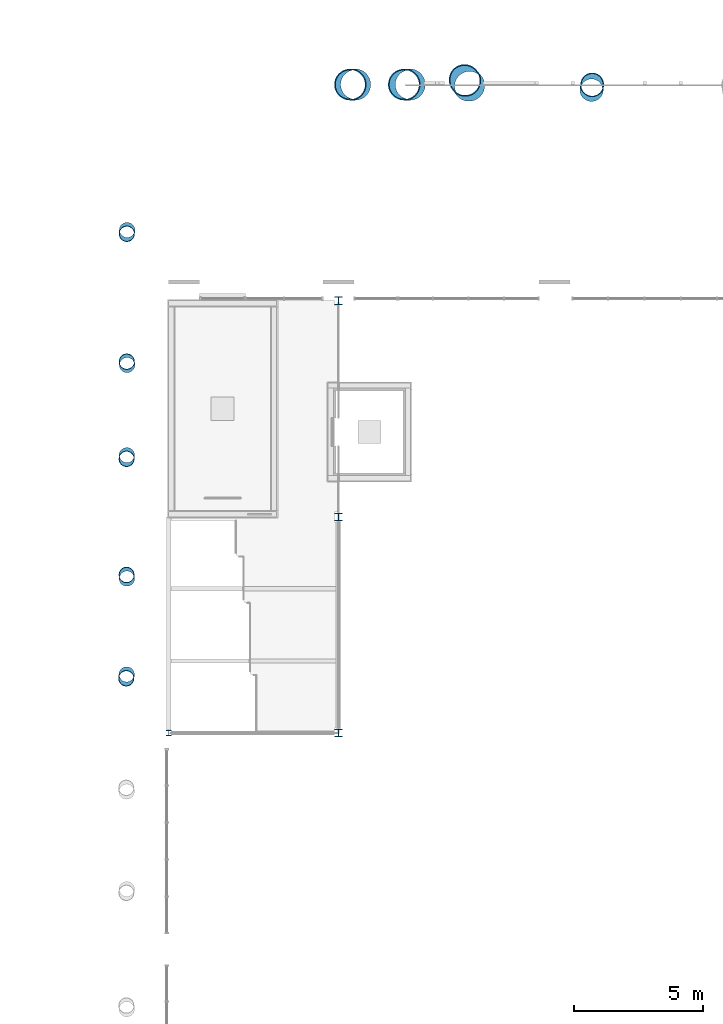
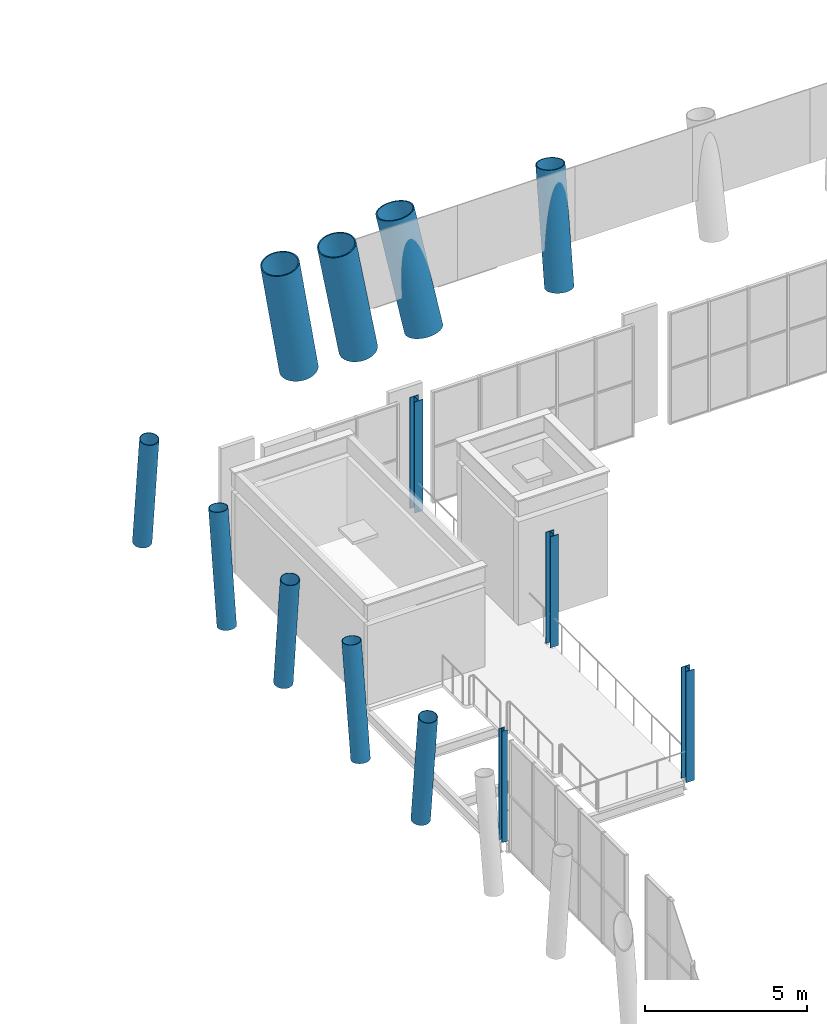
# One storey, part 9 of 76: 13 columns.
"""IFC4 building model written with IfcOpenShell, lengths in metres."""

from ifc_helpers import new_model, si_unit, direction, frame, origin, origin_2d, place, context, subcontext, project, spatial, hollow_circle, i_section, extrude, material, material_profile, profile_set, type_object, element, save


model = new_model("IFC4")

# Units and contexts
model_context = context("Model", 3, precision=1e-05, world=origin(), true_north=direction((0.0, 1.0)))
body_context = subcontext(model_context, "Body", "Model", "MODEL_VIEW")
ifc_project = project(units=[si_unit("LENGTHUNIT", "METRE"), si_unit("AREAUNIT", "SQUARE_METRE"), si_unit("VOLUMEUNIT", "CUBIC_METRE"), si_unit("PLANEANGLEUNIT", "RADIAN"), si_unit("MASSUNIT", "GRAM", prefix="KILO")], contexts=[model_context])

# Site, building, storey
site_placement = place(None, origin())
site = spatial("IfcSite", under=ifc_project, at=site_placement, CompositionType="ELEMENT")
building_placement = place(site_placement, origin())
building = spatial("IfcBuilding", under=site, at=building_placement, Name="Sava Quay Ferry Terminal", CompositionType="ELEMENT")
storey_placement = place(building_placement, frame((0.0, 0.0, 10.800048828125)))
storey = spatial("IfcBuildingStorey", under=building, at=storey_placement, Name="L02", CompositionType="ELEMENT", Elevation=10.800048828125)

# Columns
ifc_material_1 = material(Name="Steel S355", Category="steel")
ifc_material_profile_1 = material_profile(ifc_material_1, i_section(OverallWidth=0.199951171875, OverallDepth=0.199951171875, WebThickness=0.009033203125, FlangeThickness=0.014892578125, at=origin_2d()), Name="HE 200 B")
ifc_profile_set_1 = profile_set([ifc_material_profile_1], Name="Steel S355")
column_type_1 = type_object("IfcColumnType", Name="Column HE 200 B", PredefinedType="COLUMN", material=ifc_profile_set_1)
column_1_placement = place(storey_placement, frame((43.800048828125, 84.0, 0.0), z_axis=(0.0, 0.0, 1.0), x_axis=(1.0, 0.0, 0.0)))
element("IfcColumn", 1, at=column_1_placement, inside=storey, type_object=column_type_1, Name="Column L02 43.8/84", PredefinedType="COLUMN", context=body_context, shape_type="SweptSolid", body=[
    extrude(i_section(OverallWidth=0.199951171875, OverallDepth=0.199951171875, WebThickness=0.009033203125, FlangeThickness=0.014892578125, at=origin_2d()), origin(), (0.0, 0.0, 1.0), 4.199951171875),
])
ifc_material_2 = material(Name="Steel S355", Category="steel")
ifc_material_profile_2 = material_profile(ifc_material_2, i_section(OverallWidth=0.300048828125, OverallDepth=0.300048828125, WebThickness=0.010986328125, FlangeThickness=0.01904296875, at=origin_2d()), Name="HE 300 B")
ifc_profile_set_2 = profile_set([ifc_material_profile_2], Name="Steel S355")
column_type_2 = type_object("IfcColumnType", Name="Column HE 300 B", PredefinedType="COLUMN", material=ifc_profile_set_2)
for number, where, z_axis, x_axis, name in (
    (2, (50.39990234375, 84.0, 0.0), (0.0, 0.0, 1.0), (1.0, 0.0, 0.0), "Column L02 50.4/84"),
    (3, (50.39990234375, 92.39990234375, 0.0), (0.0, 0.0, 1.0), (1.0, 0.0, 0.0), "Column L02 50.4/92.4"),
    (4, (50.39990234375, 100.800048828125, 0.0), (0.0, 0.0, 1.0), (1.0, 0.0, 0.0), "Column L02 50.4/100.8"),
):
    element("IfcColumn", number, at=place(storey_placement, frame(where, z_axis=z_axis, x_axis=x_axis)), inside=storey, type_object=column_type_2, Name=name, PredefinedType="COLUMN", context=body_context, shape_type="SweptSolid", body=[
        extrude(i_section(OverallWidth=0.300048828125, OverallDepth=0.300048828125, WebThickness=0.010986328125, FlangeThickness=0.01904296875, at=origin_2d()), origin(), (0.0, 0.0, 1.0), 4.199951171875),
    ])
ifc_material_3 = material(Name="Steel S355", Category="steel")
ifc_material_profile_3 = material_profile(ifc_material_3, hollow_circle(Radius=0.609619140625, WallThickness=0.0400390625, at=origin_2d()), Name="CHS 1219 x 40.0")
ifc_profile_set_3 = profile_set([ifc_material_profile_3], Name="Steel S355")
column_type_3 = type_object("IfcColumnType", Name="V column CHS 1219x40", PredefinedType="COLUMN", material=ifc_profile_set_3)
column_2_placement = place(storey_placement, frame((51.048583984375, 109.199951171875, 0.0), z_axis=(-0.158579185212, 0.0, 0.987346262472), x_axis=(0.0, -1.0, 0.0)))
element("IfcColumn", 5, at=column_2_placement, inside=storey, type_object=column_type_3, Name="Departure hall prow V column D-PV7H0a part 3", PredefinedType="COLUMN", context=body_context, shape_type="SweptSolid", body=[
    extrude(hollow_circle(Radius=0.609619140625, WallThickness=0.0400390625, at=origin_2d()), origin(), (0.0, 0.0, 1.0), 4.253662109375),
])
column_3_placement = place(storey_placement, frame((53.17138671875, 109.199951171875, 0.0), z_axis=(-0.180444953056, 0.0, 0.983585084737), x_axis=(0.0, -1.0, 0.0)))
element("IfcColumn", 6, at=column_3_placement, inside=storey, type_object=column_type_3, Name="Departure hall prow V column D-PV7H0b part 3", PredefinedType="COLUMN", context=body_context, shape_type="SweptSolid", body=[
    extrude(hollow_circle(Radius=0.609619140625, WallThickness=0.0400390625, at=origin_2d()), origin(), (0.0, 0.0, 1.0), 4.27001953125),
])
column_4_placement = place(storey_placement, frame((55.480224609375, 109.1533203125, 0.0), z_axis=(-0.138038718435, 0.172846017457, 0.975227956153), x_axis=(-0.781393592312, -0.624038503535, 0.0)))
element("IfcColumn", 7, at=column_4_placement, inside=storey, type_object=column_type_3, Name="Departure hall prow V column D-PVTa part 3", PredefinedType="COLUMN", context=body_context, shape_type="SweptSolid", body=[
    extrude(hollow_circle(Radius=0.609619140625, WallThickness=0.0400390625, at=origin_2d()), origin(), (0.0, 0.0, 1.0), 4.306640625),
])
ifc_material_4 = material(Name="Steel S355", Category="steel")
ifc_material_profile_4 = material_profile(ifc_material_4, hollow_circle(Radius=0.304931640625, WallThickness=0.02001953125, at=origin_2d()), Name="CHS 610 x 20.0")
ifc_profile_set_4 = profile_set([ifc_material_profile_4], Name="Steel S355")
column_type_4 = type_object("IfcColumnType", Name="V column CHS 610x20", PredefinedType="COLUMN", material=ifc_profile_set_4)
column_5_placement = place(storey_placement, frame((42.166748046875, 86.271240234375, 0.0), z_axis=(-0.010842160941, -0.12485786403, 0.992115397187), x_axis=(0.996250941194, -0.086510474339, 0.0)))
element("IfcColumn", 8, at=column_5_placement, inside=storey, type_object=column_type_4, Name="Departure hall V column D-VL4b part 3", PredefinedType="COLUMN", context=body_context, shape_type="SweptSolid", body=[
    extrude(hollow_circle(Radius=0.304931640625, WallThickness=0.02001953125, at=origin_2d()), origin(), (0.0, 0.0, 1.0), 4.2333984375),
])
for number, where, z_axis, x_axis, name in (
    (9, (42.17724609375, 90.010498046875, 0.0), (-0.010046539458, 0.115304248837, 0.993279415494), (-0.996225598119, -0.086801829781, 0.0), "Departure hall V column D-VL5a part 3"),
    (10, (42.17724609375, 94.78955078125, 0.0), (-0.010046539458, -0.115304248837, 0.993279415494), (0.996225598119, -0.086801829781, 0.0), "Departure hall V column D-VL5b part 3"),
):
    element("IfcColumn", number, at=place(storey_placement, frame(where, z_axis=z_axis, x_axis=x_axis)), inside=storey, type_object=column_type_4, Name=name, PredefinedType="COLUMN", context=body_context, shape_type="SweptSolid", body=[
        extrude(hollow_circle(Radius=0.304931640625, WallThickness=0.02001953125, at=origin_2d()), origin(), (0.0, 0.0, 1.0), 4.228271484375),
    ])
column_6_placement = place(storey_placement, frame((42.18603515625, 98.30908203125, 0.0), z_axis=(-0.009362393613, 0.10708960102, 0.99420529215), x_axis=(-0.996200133827, -0.087093589682, 0.0)))
element("IfcColumn", 11, at=column_6_placement, inside=storey, type_object=column_type_4, Name="Departure hall V column D-VL6a part 3", PredefinedType="COLUMN", context=body_context, shape_type="SweptSolid", body=[
    extrude(hollow_circle(Radius=0.304931640625, WallThickness=0.02001953125, at=origin_2d()), origin(), (0.0, 0.0, 1.0), 4.224365234375),
])
column_7_placement = place(storey_placement, frame((42.18603515625, 103.5390625, 0.0), z_axis=(-0.009349176349, -0.119403986825, 0.992801732891), x_axis=(0.996948680046, -0.078059780651, 0.0)))
element("IfcColumn", 12, at=column_7_placement, inside=storey, type_object=column_type_4, Name="Departure hall V column D-VL6b part 3", PredefinedType="COLUMN", context=body_context, shape_type="SweptSolid", body=[
    extrude(hollow_circle(Radius=0.304931640625, WallThickness=0.02001953125, at=origin_2d()), origin(), (0.0, 0.0, 1.0), 4.23046875),
])
ifc_material_5 = material(Name="Steel S355", Category="steel")
ifc_material_profile_5 = material_profile(ifc_material_5, hollow_circle(Radius=0.45703125, WallThickness=0.030029296875, at=origin_2d()), Name="CHS 914 x 30.0")
ifc_profile_set_5 = profile_set([ifc_material_profile_5], Name="Steel S355")
column_type_5 = type_object("IfcColumnType", Name="V column CHS 914x30", PredefinedType="COLUMN", material=ifc_profile_set_5)
column_8_placement = place(storey_placement, frame((60.236328125, 108.99658203125, 0.0), z_axis=(0.019212071156, 0.16212694077, 0.986582865956), x_axis=(-0.993051943982, 0.117676830999, 0.0)))
element("IfcColumn", 13, at=column_8_placement, inside=storey, type_object=column_type_5, Name="Departure hall prow V column D-PVMa2.1 part 3", PredefinedType="COLUMN", context=body_context, shape_type="SweptSolid", body=[
    extrude(hollow_circle(Radius=0.45703125, WallThickness=0.030029296875, at=origin_2d()), origin(), (0.0, 0.0, 1.0), 4.257080078125),
])

save(model, "model.ifc")
